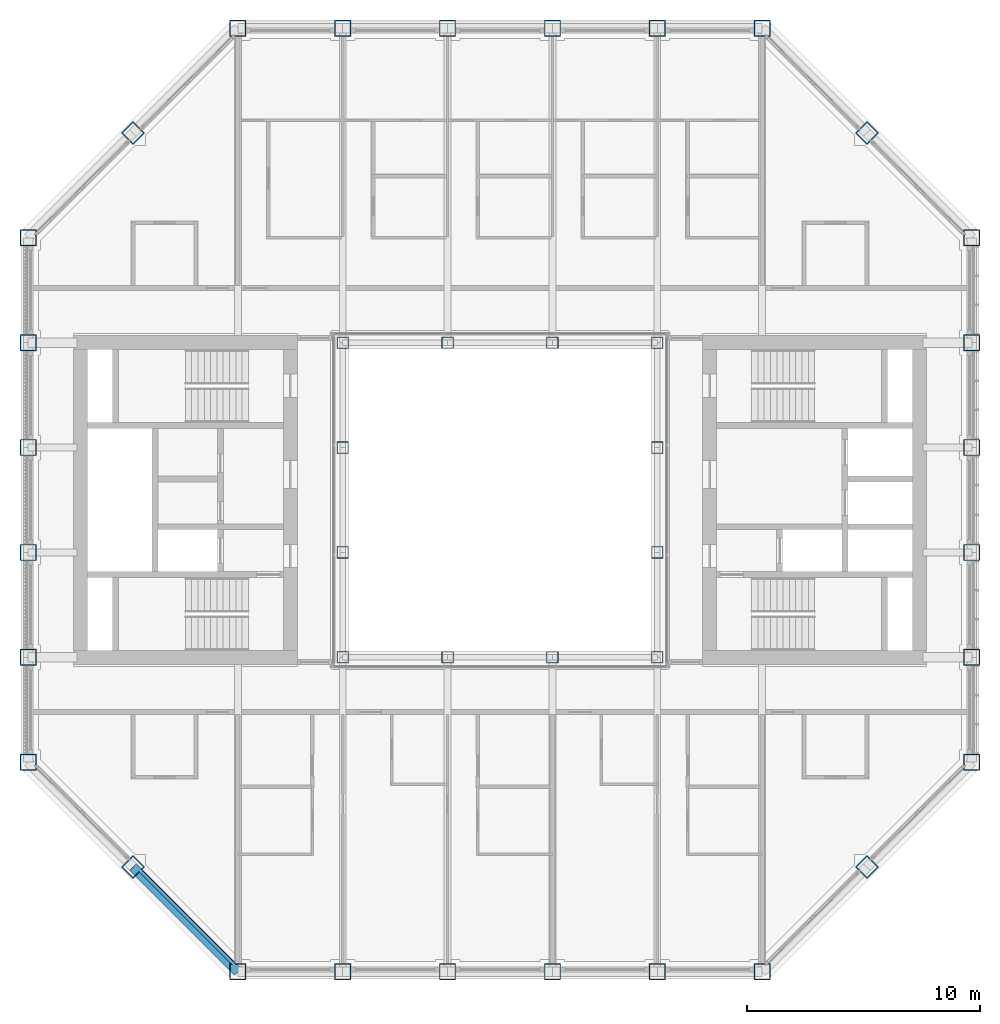
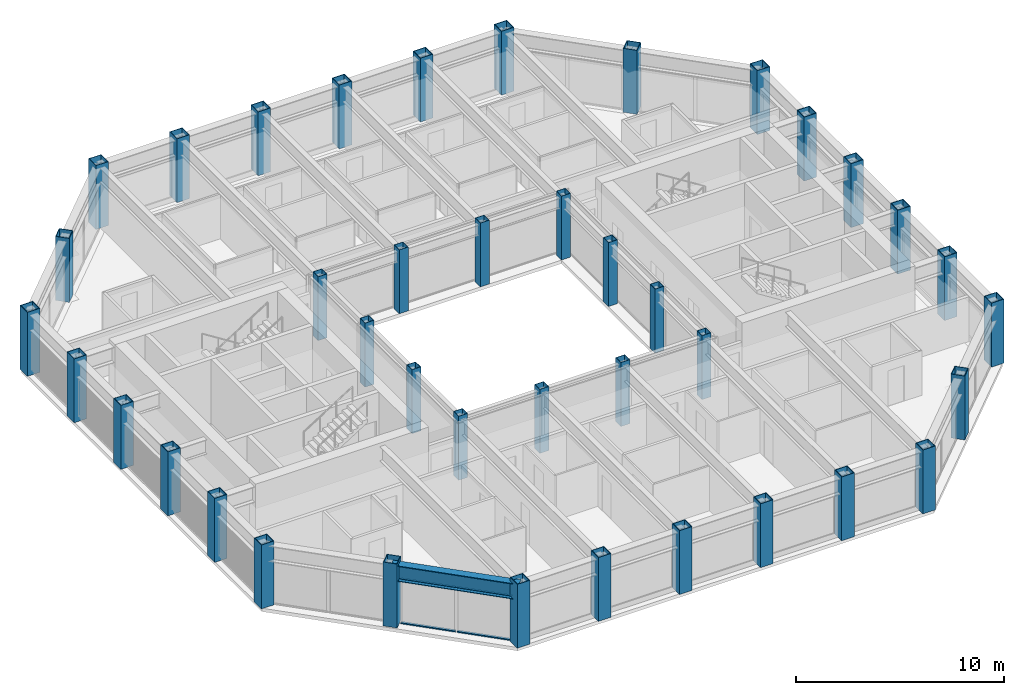
# One storey, part 1 of 18: 40 columns, 4 members, 1 beam, 1 element without a shape of its own.
"""IFC4 building model written with IfcOpenShell, lengths in metres."""

from ifc_helpers import new_model, si_unit, direction, frame, origin, origin_2d, place, context, subcontext, project, spatial, rectangle, hollow_rectangle, i_section, extrude, material, material_profile, profile_set, type_object, element, aggregate, save


model = new_model("IFC4")

# Units and contexts
model_context = context("Model", 3, precision=1e-05, world=origin(), true_north=direction((0.0, 1.0)))
body_context = subcontext(model_context, "Body", "Model", "MODEL_VIEW")
ifc_project = project(units=[si_unit("LENGTHUNIT", "METRE"), si_unit("AREAUNIT", "SQUARE_METRE"), si_unit("VOLUMEUNIT", "CUBIC_METRE"), si_unit("PLANEANGLEUNIT", "RADIAN"), si_unit("MASSUNIT", "GRAM", prefix="KILO")], contexts=[model_context])

# Site, building, storey
site_placement = place(None, origin())
site = spatial("IfcSite", under=ifc_project, at=site_placement, CompositionType="ELEMENT")
building_placement = place(site_placement, origin())
building = spatial("IfcBuilding", under=site, at=building_placement, Name="Msasa Ring Tower", CompositionType="ELEMENT")
storey_placement = place(building_placement, frame((0.0, 0.0, 245.800048828125)))
storey = spatial("IfcBuildingStorey", under=building, at=storey_placement, Name="L64", CompositionType="ELEMENT", Elevation=245.800048828125)

# Columns
ifc_material_1 = material(Name="Steel S355", Category="steel")
ifc_material_profile_1 = material_profile(ifc_material_1, hollow_rectangle(XDim=0.5, YDim=0.5, WallThickness=0.02490234375, at=origin_2d()), Name="BOX 500x500x25")
ifc_profile_set_1 = profile_set([ifc_material_profile_1], Name="Steel S355")
column_type_1 = type_object("IfcColumnType", Name="IC7 BOX 500x500x25", PredefinedType="COLUMN", material=ifc_profile_set_1)
for number, where, z_axis, x_axis, name in (
    (1, (-6.75, -6.75, 0.0), (0.0, 0.0, 1.0), (1.0, 0.0, 0.0), "Inner ring column IR-6.75-6.75 L64"),
    (2, (-6.75, -2.25, 0.0), (0.0, 0.0, 1.0), (1.0, 0.0, 0.0), "Inner ring column IR-6.75-2.25 L64"),
    (3, (-6.75, 2.25, 0.0), (0.0, 0.0, 1.0), (1.0, 0.0, 0.0), "Inner ring column IR-6.75+2.25 L64"),
    (4, (-6.75, 6.75, 0.0), (0.0, 0.0, 1.0), (1.0, 0.0, 0.0), "Inner ring column IR-6.75+6.75 L64"),
    (5, (-2.25, -6.75, 0.0), (0.0, 0.0, 1.0), (1.0, 0.0, 0.0), "Inner ring column IR-2.25-6.75 L64"),
    (6, (-2.25, 6.75, 0.0), (0.0, 0.0, 1.0), (1.0, 0.0, 0.0), "Inner ring column IR-2.25+6.75 L64"),
    (7, (2.25, -6.75, 0.0), (0.0, 0.0, 1.0), (1.0, 0.0, 0.0), "Inner ring column IR+2.25-6.75 L64"),
    (8, (2.25, 6.75, 0.0), (0.0, 0.0, 1.0), (1.0, 0.0, 0.0), "Inner ring column IR+2.25+6.75 L64"),
    (9, (6.75, -6.75, 0.0), (0.0, 0.0, 1.0), (1.0, 0.0, 0.0), "Inner ring column IR+6.75-6.75 L64"),
    (10, (6.75, -2.25, 0.0), (0.0, 0.0, 1.0), (1.0, 0.0, 0.0), "Inner ring column IR+6.75-2.25 L64"),
    (11, (6.75, 2.25, 0.0), (0.0, 0.0, 1.0), (1.0, 0.0, 0.0), "Inner ring column IR+6.75+2.25 L64"),
    (12, (6.75, 6.75, 0.0), (0.0, 0.0, 1.0), (1.0, 0.0, 0.0), "Inner ring column IR+6.75+6.75 L64"),
):
    element("IfcColumn", number, at=place(storey_placement, frame(where, z_axis=z_axis, x_axis=x_axis)), inside=storey, type_object=column_type_1, Name=name, PredefinedType="COLUMN", context=body_context, shape_type="SweptSolid", body=[
        extrude(hollow_rectangle(XDim=0.5, YDim=0.5, WallThickness=0.02490234375, at=origin_2d()), origin(), (0.0, 0.0, 1.0), 3.75),
    ])
ifc_material_2 = material(Name="Steel S355", Category="steel")
ifc_material_profile_2 = material_profile(ifc_material_2, hollow_rectangle(XDim=0.699951171875, YDim=0.699951171875, WallThickness=0.034912109375, at=origin_2d()), Name="BOX 700x700x35")
ifc_profile_set_2 = profile_set([ifc_material_profile_2], Name="Steel S355")
column_type_2 = type_object("IfcColumnType", Name="TC8 BOX 700x700x35", PredefinedType="COLUMN", material=ifc_profile_set_2)
for number, where, z_axis, x_axis, name in (
    (13, (-11.25, -20.25, 0.0), (0.0, 0.0, 1.0), (0.0, 1.0, 0.0), "Tube column S-11.25 L64"),
    (14, (-11.25, 20.25, 0.0), (0.0, 0.0, 1.0), (0.0, 1.0, 0.0), "Tube column N-11.25 L64"),
    (15, (20.25, -11.25, 0.0), (0.0, 0.0, 1.0), (1.0, 0.0, 0.0), "Tube column E-11.25 L64"),
    (16, (-20.25, -11.25, 0.0), (0.0, 0.0, 1.0), (1.0, 0.0, 0.0), "Tube column W-11.25 L64"),
    (17, (-6.75, -20.25, 0.0), (0.0, 0.0, 1.0), (0.0, 1.0, 0.0), "Tube column S-6.75 L64"),
    (18, (-6.75, 20.25, 0.0), (0.0, 0.0, 1.0), (0.0, 1.0, 0.0), "Tube column N-6.75 L64"),
    (19, (20.25, -6.75, 0.0), (0.0, 0.0, 1.0), (1.0, 0.0, 0.0), "Tube column E-6.75 L64"),
    (20, (-20.25, -6.75, 0.0), (0.0, 0.0, 1.0), (1.0, 0.0, 0.0), "Tube column W-6.75 L64"),
    (21, (-2.25, -20.25, 0.0), (0.0, 0.0, 1.0), (0.0, 1.0, 0.0), "Tube column S-2.25 L64"),
    (22, (-2.25, 20.25, 0.0), (0.0, 0.0, 1.0), (0.0, 1.0, 0.0), "Tube column N-2.25 L64"),
    (23, (20.25, -2.25, 0.0), (0.0, 0.0, 1.0), (1.0, 0.0, 0.0), "Tube column E-2.25 L64"),
    (24, (-20.25, -2.25, 0.0), (0.0, 0.0, 1.0), (1.0, 0.0, 0.0), "Tube column W-2.25 L64"),
    (25, (2.25, -20.25, 0.0), (0.0, 0.0, 1.0), (0.0, 1.0, 0.0), "Tube column S+2.25 L64"),
    (26, (2.25, 20.25, 0.0), (0.0, 0.0, 1.0), (0.0, 1.0, 0.0), "Tube column N+2.25 L64"),
    (27, (20.25, 2.25, 0.0), (0.0, 0.0, 1.0), (1.0, 0.0, 0.0), "Tube column E+2.25 L64"),
    (28, (-20.25, 2.25, 0.0), (0.0, 0.0, 1.0), (1.0, 0.0, 0.0), "Tube column W+2.25 L64"),
    (29, (6.75, -20.25, 0.0), (0.0, 0.0, 1.0), (0.0, 1.0, 0.0), "Tube column S+6.75 L64"),
    (30, (6.75, 20.25, 0.0), (0.0, 0.0, 1.0), (0.0, 1.0, 0.0), "Tube column N+6.75 L64"),
    (31, (20.25, 6.75, 0.0), (0.0, 0.0, 1.0), (1.0, 0.0, 0.0), "Tube column E+6.75 L64"),
    (32, (-20.25, 6.75, 0.0), (0.0, 0.0, 1.0), (1.0, 0.0, 0.0), "Tube column W+6.75 L64"),
    (33, (11.25, -20.25, 0.0), (0.0, 0.0, 1.0), (0.0, 1.0, 0.0), "Tube column S+11.25 L64"),
    (34, (11.25, 20.25, 0.0), (0.0, 0.0, 1.0), (0.0, 1.0, 0.0), "Tube column N+11.25 L64"),
    (35, (20.25, 11.25, 0.0), (0.0, 0.0, 1.0), (1.0, 0.0, 0.0), "Tube column E+11.25 L64"),
    (36, (-20.25, 11.25, 0.0), (0.0, 0.0, 1.0), (1.0, 0.0, 0.0), "Tube column W+11.25 L64"),
    (37, (15.75, -15.75, 0.0), (0.0, 0.0, 1.0), (0.707106781187, -0.707106781187, 0.0), "Tube column SE L64"),
    (38, (15.75, 15.75, 0.0), (0.0, 0.0, 1.0), (0.707106781187, 0.707106781187, 0.0), "Tube column NE L64"),
    (39, (-15.75, 15.75, 0.0), (0.0, 0.0, 1.0), (0.707106781187, -0.707106781187, 0.0), "Tube column NW L64"),
    (40, (-15.75, -15.75, 0.0), (0.0, 0.0, 1.0), (0.707106781187, 0.707106781187, 0.0), "Tube column SW L64"),
):
    element("IfcColumn", number, at=place(storey_placement, frame(where, z_axis=z_axis, x_axis=x_axis)), inside=storey, type_object=column_type_2, Name=name, PredefinedType="COLUMN", context=body_context, shape_type="SweptSolid", body=[
        extrude(hollow_rectangle(XDim=0.699951171875, YDim=0.699951171875, WallThickness=0.034912109375, at=origin_2d()), origin(), (0.0, 0.0, 1.0), 3.75),
    ])

# Curtain wall, members
ifc_material_3 = material(Name="Aluminium curtain wall with clear glass", Category="aluminium")
curtain_wall_type = type_object("IfcCurtainWallType", Name="CW-C CHAMFER CORNER CURTAIN WALL", PredefinedType="NOTDEFINED", material=ifc_material_3)
curtain_wall_placement = place(storey_placement, origin())
curtain_wall = element("IfcCurtainWall", 41, at=curtain_wall_placement, inside=storey, type_object=curtain_wall_type, Name="Chamfer corner curtain wall SW L64", PredefinedType="NOTDEFINED")
ifc_material_4 = material(Name="Aluminium transom", Category="aluminium")
ifc_material_profile_3 = material_profile(ifc_material_4, rectangle(XDim=0.139892578125, YDim=0.06494140625, at=origin_2d()), Name="AL 65x140")
ifc_profile_set_3 = profile_set([ifc_material_profile_3], Name="Aluminium transom")
member_type = type_object("IfcMemberType", Name="CW-C TRANSOM 65x140", PredefinedType="USERDEFINED", material=ifc_profile_set_3)
member_1_placement = place(storey_placement, frame((-15.38232421875, -15.976318359375, 0.032470703125), z_axis=(0.707106781187, -0.707106781187, 0.0), x_axis=(0.707106781187, 0.707106781187, 0.0)))
member_1 = element("IfcMember", 42, at=member_1_placement, type_object=member_type, Name="CW-C transom 1.1", ObjectType="TRANSOM", PredefinedType="USERDEFINED", context=body_context, shape_type="SweptSolid", body=[
    extrude(rectangle(XDim=0.139892578125, YDim=0.06494140625, at=origin_2d()), origin(), (0.0, 0.0, 1.0), 2.729248046875),
])
member_2_placement = place(storey_placement, frame((-15.38232421875, -15.976318359375, 2.596435546875), z_axis=(0.707106781187, -0.707106781187, 0.0), x_axis=(0.707106781187, 0.707106781187, 0.0)))
member_2 = element("IfcMember", 43, at=member_2_placement, type_object=member_type, Name="CW-C transom 1.2", ObjectType="TRANSOM", PredefinedType="USERDEFINED", context=body_context, shape_type="SweptSolid", body=[
    extrude(rectangle(XDim=0.139892578125, YDim=0.06494140625, at=origin_2d()), origin(), (0.0, 0.0, 1.0), 2.729248046875),
])
member_3_placement = place(storey_placement, frame((-13.40625, -17.952392578125, 0.032470703125), z_axis=(0.707106781187, -0.707106781187, 0.0), x_axis=(0.707106781187, 0.707106781187, 0.0)))
member_3 = element("IfcMember", 44, at=member_3_placement, type_object=member_type, Name="CW-C transom 2.1", ObjectType="TRANSOM", PredefinedType="USERDEFINED", context=body_context, shape_type="SweptSolid", body=[
    extrude(rectangle(XDim=0.139892578125, YDim=0.06494140625, at=origin_2d()), origin(), (0.0, 0.0, 1.0), 2.729248046875),
])
member_4_placement = place(storey_placement, frame((-13.40625, -17.952392578125, 2.596435546875), z_axis=(0.707106781187, -0.707106781187, 0.0), x_axis=(0.707106781187, 0.707106781187, 0.0)))
member_4 = element("IfcMember", 45, at=member_4_placement, type_object=member_type, Name="CW-C transom 2.2", ObjectType="TRANSOM", PredefinedType="USERDEFINED", context=body_context, shape_type="SweptSolid", body=[
    extrude(rectangle(XDim=0.139892578125, YDim=0.06494140625, at=origin_2d()), origin(), (0.0, 0.0, 1.0), 2.729248046875),
])
aggregate(curtain_wall, [member_1, member_2, member_3, member_4])

# Beam
ifc_material_5 = material(Name="Steel S355", Category="steel")
ifc_material_profile_4 = material_profile(ifc_material_5, i_section(OverallWidth=0.42041015625, OverallDepth=0.9208984375, WebThickness=0.021484375, FlangeThickness=0.03662109375, FilletRadius=0.024169921875, at=origin_2d()), Name="UB 914x419x388")
ifc_profile_set_4 = profile_set([ifc_material_profile_4], Name="Steel S355")
beam_type = type_object("IfcBeamType", Name="SB1 UB 914x419x388", PredefinedType="SPANDREL", material=ifc_profile_set_4)
beam_placement = place(storey_placement, frame((-15.75, -15.75, 3.08935546875), z_axis=(0.707106781187, -0.707106781187, 0.0), x_axis=(0.707106781187, 0.707106781187, 0.0)))
element("IfcBeam", 46, at=beam_placement, inside=storey, type_object=beam_type, Name="Spandrel SW to S-11.25 under L65", PredefinedType="SPANDREL", context=body_context, shape_type="SweptSolid", body=[
    extrude(i_section(OverallWidth=0.42041015625, OverallDepth=0.9208984375, WebThickness=0.021484375, FlangeThickness=0.03662109375, FilletRadius=0.024169921875, at=origin_2d()), origin(), (0.0, 0.0, 1.0), 6.364013671875),
])

save(model, "model.ifc")
